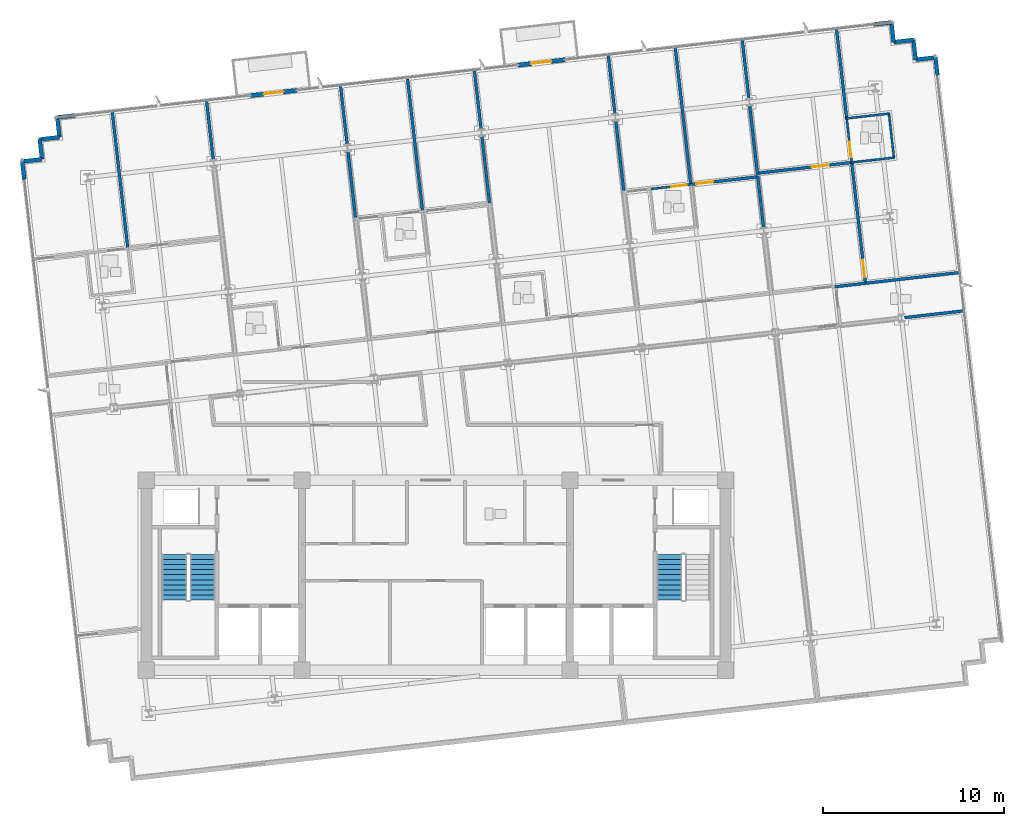
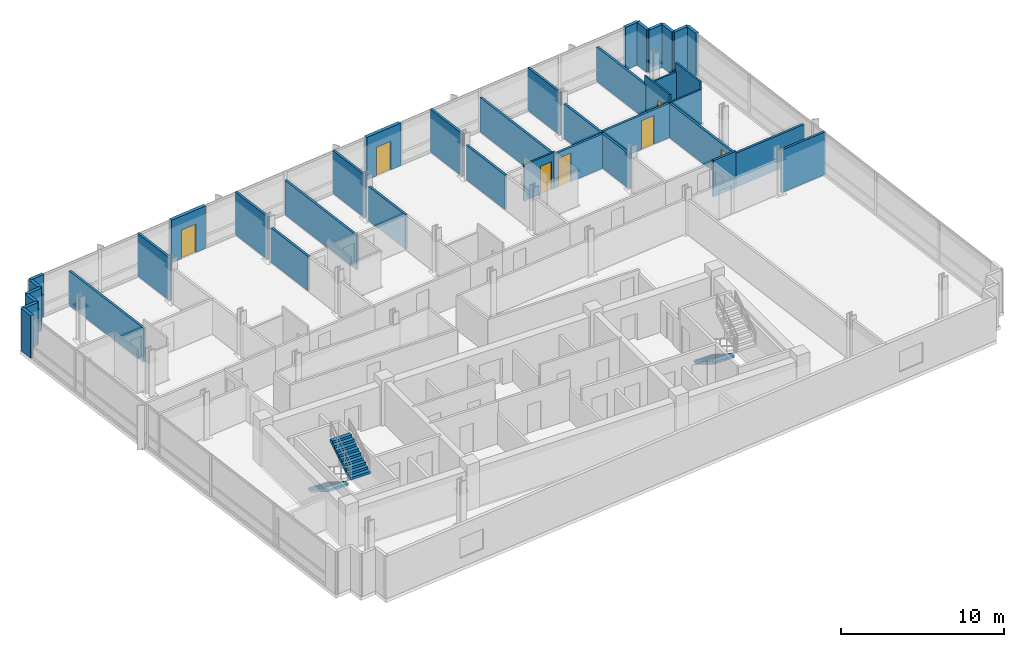
# One storey, part 11 of 17: 39 walls, 7 doors, 3 stair flights, 7 openings, 2 elements without a shape of their own.
"""IFC4 building model written with IfcOpenShell, lengths in metres."""

from ifc_helpers import new_model, si_unit, direction, frame, frame_2d, origin, place, context, subcontext, project, spatial, polyline, rectangle, outline, extrude, material, layer, layer_set, type_object, element, fill, aggregate, save


model = new_model("IFC4")

# Units and contexts
model_context = context("Model", 3, precision=1e-05, world=origin(), true_north=direction((0.0, 1.0)))
body_context = subcontext(model_context, "Body", "Model", "MODEL_VIEW")
ifc_project = project(units=[si_unit("LENGTHUNIT", "METRE"), si_unit("AREAUNIT", "SQUARE_METRE"), si_unit("VOLUMEUNIT", "CUBIC_METRE"), si_unit("PLANEANGLEUNIT", "RADIAN"), si_unit("MASSUNIT", "GRAM", prefix="KILO")], contexts=[model_context])

# Site, building, storey
site_placement = place(None, origin())
site = spatial("IfcSite", under=ifc_project, at=site_placement, CompositionType="ELEMENT")
building_placement = place(site_placement, origin())
building = spatial("IfcBuilding", under=site, at=building_placement, Name="Solmavex Isthmus Hotel", CompositionType="ELEMENT")
storey_placement = place(building_placement, frame((0.0, 0.0, 195.14990234375)))
storey = spatial("IfcBuildingStorey", under=building, at=storey_placement, Name="L52", CompositionType="ELEMENT", Elevation=195.14990234375)

# Wall, opening, door
ifc_material_1 = material(Name="Precast Concrete C40/50", Category="concrete")
ifc_layer_1 = layer(ifc_material_1, 0.25)
ifc_layer_set_1 = layer_set([ifc_layer_1], Name="Precast Concrete C40/50")
wall_type_1 = type_object("IfcWallType", Name="EW-TWR-250", PredefinedType="STANDARD", material=ifc_layer_set_1)
wall_1_placement = place(storey_placement, frame((-10.26953125, 18.750244140625, 0.0), z_axis=(0.0, 0.0, 1.0), x_axis=(0.993567130319, 0.113244680008, 0.0)))
wall_1 = element("IfcWall", 1, at=wall_1_placement, inside=storey, type_object=wall_type_1, Name="Exterior Balcony Door Wall L52-2", PredefinedType="STANDARD", context=body_context, shape_type="SweptSolid", body=[
    extrude(rectangle(XDim=2.60009765625, YDim=0.239990234375, at=frame_2d((1.300048828125, 0.0))), origin(), (0.0, 0.0, 1.0), 3.190185546875),
])
opening_1_placement = place(wall_1_placement, frame((0.75, 0.0, 0.0)))
opening_1 = element("IfcOpeningElement", 2, at=opening_1_placement, cuts=wall_1, Name="Opening ED-02", PredefinedType="OPENING", context=body_context, shape_type="SweptSolid", body=[
    extrude(rectangle(XDim=1.10009765625, YDim=2.14990234375, at=frame_2d((0.550048828125, 1.074951171875))), frame((0.0, 0.1298828125, 0.0), z_axis=(0.0, -1.0, 0.0), x_axis=(1.0, 0.0, 0.0)), (0.0, 0.0, 1.0), 0.260009765625),
])
ifc_material_2 = material(Name="Aluminium alloy 6063-T6", Category="aluminium")
door_type_1 = type_object("IfcDoorType", Name="EDR-BALC-1100", OperationType="NOTDEFINED", PredefinedType="DOOR", material=ifc_material_2)
door_1_placement = place(opening_1_placement, origin())
door_1 = element("IfcDoor", 3, at=door_1_placement, inside=storey, type_object=door_type_1, Name="Balcony & Terrace Glazed Door L52-2", OperationType="SINGLE_SWING_RIGHT", OverallHeight=2.14990234375, OverallWidth=1.10009765625, PredefinedType="DOOR", context=body_context, shape_type="SweptSolid", body=[
    extrude(rectangle(XDim=1.10009765625, YDim=2.14990234375, at=frame_2d((0.550048828125, 1.074951171875))), frame((0.0, 0.02490234375, 0.0), z_axis=(0.0, -1.0, 0.0), x_axis=(1.0, 0.0, 0.0)), (0.0, 0.0, 1.0), 0.050048828125),
])
fill(opening_1, door_1)

wall_2_placement = place(storey_placement, frame((4.52685546875, 20.43603515625, 0.0), z_axis=(0.0, 0.0, 1.0), x_axis=(0.993567130319, 0.113244680008, 0.0)))
wall_2 = element("IfcWall", 4, at=wall_2_placement, inside=storey, type_object=wall_type_1, Name="Exterior Balcony Door Wall L52-3", PredefinedType="STANDARD", context=body_context, shape_type="SweptSolid", body=[
    extrude(rectangle(XDim=2.60009765625, YDim=0.239990234375, at=frame_2d((1.300048828125, 0.0))), origin(), (0.0, 0.0, 1.0), 3.190185546875),
])
opening_2_placement = place(wall_2_placement, frame((0.75, 0.0, 0.0)))
opening_2 = element("IfcOpeningElement", 5, at=opening_2_placement, cuts=wall_2, Name="Opening ED-02", PredefinedType="OPENING", context=body_context, shape_type="SweptSolid", body=[
    extrude(rectangle(XDim=1.10009765625, YDim=2.14990234375, at=frame_2d((0.550048828125, 1.074951171875))), frame((0.0, 0.1298828125, 0.0), z_axis=(0.0, -1.0, 0.0), x_axis=(1.0, 0.0, 0.0)), (0.0, 0.0, 1.0), 0.260009765625),
])
door_2_placement = place(opening_2_placement, origin())
door_2 = element("IfcDoor", 6, at=door_2_placement, inside=storey, type_object=door_type_1, Name="Balcony & Terrace Glazed Door L52-3", OperationType="SINGLE_SWING_LEFT", OverallHeight=2.14990234375, OverallWidth=1.10009765625, PredefinedType="DOOR", context=body_context, shape_type="SweptSolid", body=[
    extrude(rectangle(XDim=1.10009765625, YDim=2.14990234375, at=frame_2d((0.550048828125, 1.074951171875))), frame((0.0, 0.02490234375, 0.0), z_axis=(0.0, -1.0, 0.0), x_axis=(1.0, 0.0, 0.0)), (0.0, 0.0, 1.0), 0.050048828125),
])
fill(opening_2, door_2)

# Walls
wall_3_placement = place(storey_placement, frame((-22.74755859375, 14.128173828125, 0.0), z_axis=(0.0, 0.0, 1.0), x_axis=(-0.113191877531, 0.993573147212, 0.0)))
element("IfcWall", 7, at=wall_3_placement, inside=storey, type_object=wall_type_1, Name="Serrated Corner Facade Panel L52-07", PredefinedType="STANDARD", context=body_context, shape_type="SweptSolid", body=[
    extrude(rectangle(XDim=0.989990234375, YDim=0.219970703125, at=frame_2d((0.4951171875, 0.0))), origin(), (0.0, 0.0, 1.0), 3.190185546875),
])
wall_4_placement = place(storey_placement, frame((-22.859619140625, 15.11181640625, 0.0), z_axis=(0.0, 0.0, 1.0), x_axis=(0.99357409499, 0.113183557839, 0.0)))
element("IfcWall", 8, at=wall_4_placement, inside=storey, type_object=wall_type_1, Name="Serrated Corner Facade Panel L52-08", PredefinedType="STANDARD", context=body_context, shape_type="SweptSolid", body=[
    extrude(rectangle(XDim=1.10009765625, YDim=0.219970703125, at=frame_2d((0.550048828125, 0.0))), origin(), (0.0, 0.0, 1.0), 3.190185546875),
])
wall_5_placement = place(storey_placement, frame((-21.7666015625, 15.236328125, 0.0), z_axis=(0.0, 0.0, 1.0), x_axis=(-0.11320852056, 0.99357125103, 0.0)))
element("IfcWall", 9, at=wall_5_placement, inside=storey, type_object=wall_type_1, Name="Serrated Corner Facade Panel L52-09", PredefinedType="STANDARD", context=body_context, shape_type="SweptSolid", body=[
    extrude(rectangle(XDim=1.099853515625, YDim=0.219970703125, at=frame_2d((0.5498046875, 0.0))), origin(), (0.0, 0.0, 1.0), 3.190185546875),
])
for number, where, z_axis, x_axis, name in (
    (10, (-21.89111328125, 16.3291015625, 0.0), (0.0, 0.0, 1.0), (0.99357409499, 0.113183557839, 0.0), "Serrated Corner Facade Panel L52-10"),
    (11, (-20.798095703125, 16.45361328125, 0.0), (0.0, 0.0, 1.0), (-0.113402635104, 0.993549114212, 0.0), "Serrated Corner Facade Panel L52-11"),
):
    element("IfcWall", number, at=place(storey_placement, frame(where, z_axis=z_axis, x_axis=x_axis)), inside=storey, type_object=wall_type_1, Name=name, PredefinedType="STANDARD", context=body_context, shape_type="SweptSolid", body=[
        extrude(rectangle(XDim=1.10009765625, YDim=0.219970703125, at=frame_2d((0.550048828125, 0.0))), origin(), (0.0, 0.0, 1.0), 3.190185546875),
    ])
for number, where, z_axis, x_axis, name in (
    (12, (-20.9228515625, 17.546630859375, 0.0), (0.0, 0.0, 1.0), (0.993573147212, 0.113191877531, 0.0), "Serrated Corner Facade Panel L52-12"),
    (13, (24.175537109375, 22.684814453125, 0.0), (0.0, 0.0, 1.0), (0.993573147212, 0.113191877531, 0.0), "Serrated Corner Facade Panel L52-14"),
):
    element("IfcWall", number, at=place(storey_placement, frame(where, z_axis=z_axis, x_axis=x_axis)), inside=storey, type_object=wall_type_1, Name=name, PredefinedType="STANDARD", context=body_context, shape_type="SweptSolid", body=[
        extrude(rectangle(XDim=0.989990234375, YDim=0.219970703125, at=frame_2d((0.4951171875, 0.0))), origin(), (0.0, 0.0, 1.0), 3.190185546875),
    ])
for number, where, z_axis, x_axis, name in (
    (14, (25.1591796875, 22.796875, 0.0), (0.0, 0.0, 1.0), (0.11320852056, -0.99357125103, 0.0), "Serrated Corner Facade Panel L52-15"),
    (15, (25.28369140625, 21.7041015625, 0.0), (0.0, 0.0, 1.0), (0.99357125103, 0.11320852056, 0.0), "Serrated Corner Facade Panel L52-16"),
):
    element("IfcWall", number, at=place(storey_placement, frame(where, z_axis=z_axis, x_axis=x_axis)), inside=storey, type_object=wall_type_1, Name=name, PredefinedType="STANDARD", context=body_context, shape_type="SweptSolid", body=[
        extrude(rectangle(XDim=1.099853515625, YDim=0.219970703125, at=frame_2d((0.5498046875, 0.0))), origin(), (0.0, 0.0, 1.0), 3.190185546875),
    ])
wall_6_placement = place(storey_placement, frame((26.37646484375, 21.82861328125, 0.0), z_axis=(0.0, 0.0, 1.0), x_axis=(0.113402635104, -0.993549114212, 0.0)))
element("IfcWall", 16, at=wall_6_placement, inside=storey, type_object=wall_type_1, Name="Serrated Corner Facade Panel L52-17", PredefinedType="STANDARD", context=body_context, shape_type="SweptSolid", body=[
    extrude(rectangle(XDim=1.10009765625, YDim=0.219970703125, at=frame_2d((0.550048828125, 0.0))), origin(), (0.0, 0.0, 1.0), 3.190185546875),
])
wall_7_placement = place(storey_placement, frame((26.501220703125, 20.735595703125, 0.0), z_axis=(0.0, 0.0, 1.0), x_axis=(0.99357125103, 0.11320852056, 0.0)))
element("IfcWall", 17, at=wall_7_placement, inside=storey, type_object=wall_type_1, Name="Serrated Corner Facade Panel L52-18", PredefinedType="STANDARD", context=body_context, shape_type="SweptSolid", body=[
    extrude(rectangle(XDim=1.099853515625, YDim=0.219970703125, at=frame_2d((0.5498046875, 0.0))), origin(), (0.0, 0.0, 1.0), 3.190185546875),
])
wall_8_placement = place(storey_placement, frame((27.593994140625, 20.860107421875, 0.0), z_axis=(0.0, 0.0, 1.0), x_axis=(0.113191877531, -0.993573147212, 0.0)))
element("IfcWall", 18, at=wall_8_placement, inside=storey, type_object=wall_type_1, Name="Serrated Corner Facade Panel L52-19", PredefinedType="STANDARD", context=body_context, shape_type="SweptSolid", body=[
    extrude(rectangle(XDim=0.989990234375, YDim=0.219970703125, at=frame_2d((0.4951171875, 0.0))), origin(), (0.0, 0.0, 1.0), 3.190185546875),
])
ifc_material_3 = material(Name="Gypsum plasterboard lining", Category="gypsum")
ifc_layer_2 = layer(ifc_material_3, 0.159912109375)
ifc_layer_set_2 = layer_set([ifc_layer_2], Name="Gypsum plasterboard lining")
wall_type_2 = type_object("IfcWallType", Name="IW-COMP-160", PredefinedType="PARTITIONING", material=ifc_layer_set_2)
wall_9_placement = place(storey_placement, frame((-17.891845703125, 17.922119140625, 0.0), z_axis=(0.0, 0.0, 1.0), x_axis=(0.113207305677, -0.993571389454, 0.0)))
element("IfcWall", 19, at=wall_9_placement, inside=storey, type_object=wall_type_2, Name="Interior Partition Wall W-L52-P033", PredefinedType="PARTITIONING", context=body_context, shape_type="SweptSolid", body=[
    extrude(rectangle(XDim=7.7119140625, YDim=0.159912109375, at=frame_2d((3.85595703125, 0.0))), origin(), (0.0, 0.0, 1.0), 2.5576171875),
])
wall_10_placement = place(storey_placement, frame((-12.681396484375, 18.515869140625, 0.0), z_axis=(0.0, 0.0, 1.0), x_axis=(0.113171804991, -0.993575433752, 0.0)))
element("IfcWall", 20, at=wall_10_placement, inside=storey, type_object=wall_type_2, Name="Interior Partition Wall W-L52-P035", PredefinedType="PARTITIONING", context=body_context, shape_type="SweptSolid", body=[
    extrude(rectangle(XDim=3.34375, YDim=0.159912109375, at=frame_2d((1.671875, 0.0))), origin(), (0.0, 0.0, 1.0), 3.190185546875),
])
wall_11_placement = place(storey_placement, frame((-5.283447265625, 19.358642578125, 0.0), z_axis=(0.0, 0.0, 1.0), x_axis=(0.113252098743, -0.993566284719, 0.0)))
element("IfcWall", 21, at=wall_11_placement, inside=storey, type_object=wall_type_2, Name="Interior Partition Wall W-L52-P041", PredefinedType="PARTITIONING", context=body_context, shape_type="SweptSolid", body=[
    extrude(rectangle(XDim=3.343505859375, YDim=0.159912109375, at=frame_2d((1.671875, 0.0))), origin(), (0.0, 0.0, 1.0), 3.190185546875),
])
wall_12_placement = place(storey_placement, frame((-4.864990234375, 15.68603515625, 0.0), z_axis=(0.0, 0.0, 1.0), x_axis=(0.11322351182, -0.993569542796, 0.0)))
element("IfcWall", 22, at=wall_12_placement, inside=storey, type_object=wall_type_2, Name="Interior Partition Wall W-L52-P042", PredefinedType="PARTITIONING", context=body_context, shape_type="SweptSolid", body=[
    extrude(rectangle(XDim=3.857666015625, YDim=0.159912109375, at=frame_2d((1.9287109375, 0.0))), origin(), (0.0, 0.0, 1.0), 2.572509765625),
])
wall_13_placement = place(storey_placement, frame((-1.57080078125, 19.660888671875, 0.0), z_axis=(0.0, 0.0, 1.0), x_axis=(0.113218703946, -0.993570090671, 0.0)))
element("IfcWall", 23, at=wall_13_placement, inside=storey, type_object=wall_type_2, Name="Interior Partition Wall W-L52-P050", PredefinedType="PARTITIONING", context=body_context, shape_type="SweptSolid", body=[
    extrude(rectangle(XDim=7.39208984375, YDim=0.159912109375, at=frame_2d((3.696044921875, 0.0))), origin(), (0.0, 0.0, 1.0), 2.5576171875),
])
wall_14_placement = place(storey_placement, frame((2.11474609375, 20.20166015625, 0.0), z_axis=(0.0, 0.0, 1.0), x_axis=(0.113243883011, -0.993567221158, 0.0)))
element("IfcWall", 24, at=wall_14_placement, inside=storey, type_object=wall_type_2, Name="Interior Partition Wall W-L52-P052", PredefinedType="PARTITIONING", context=body_context, shape_type="SweptSolid", body=[
    extrude(rectangle(XDim=3.34375, YDim=0.159912109375, at=frame_2d((1.671875, 0.0))), origin(), (0.0, 0.0, 1.0), 3.190185546875),
])
wall_15_placement = place(storey_placement, frame((2.533203125, 16.529052734375, 0.0), z_axis=(0.0, 0.0, 1.0), x_axis=(0.113183882326, -0.993574058026, 0.0)))
element("IfcWall", 25, at=wall_15_placement, inside=storey, type_object=wall_type_2, Name="Interior Partition Wall W-L52-P053", PredefinedType="PARTITIONING", context=body_context, shape_type="SweptSolid", body=[
    extrude(rectangle(XDim=3.815673828125, YDim=0.159912109375, at=frame_2d((1.90771484375, 0.0))), origin(), (0.0, 0.0, 1.0), 2.572509765625),
])
wall_16_placement = place(storey_placement, frame((9.512939453125, 21.04443359375, 0.0), z_axis=(0.0, 0.0, 1.0), x_axis=(0.113180015629, -0.993574498496, 0.0)))
element("IfcWall", 26, at=wall_16_placement, inside=storey, type_object=wall_type_2, Name="Interior Partition Wall W-L52-P058", PredefinedType="PARTITIONING", context=body_context, shape_type="SweptSolid", body=[
    extrude(rectangle(XDim=3.343505859375, YDim=0.159912109375, at=frame_2d((1.671875, 0.0))), origin(), (0.0, 0.0, 1.0), 3.190185546875),
])
wall_17_placement = place(storey_placement, frame((9.931396484375, 17.371826171875, 0.0), z_axis=(0.0, 0.0, 1.0), x_axis=(0.113178343723, -0.993574688945, 0.0)))
element("IfcWall", 27, at=wall_17_placement, inside=storey, type_object=wall_type_2, Name="Interior Partition Wall W-L52-P059", PredefinedType="PARTITIONING", context=body_context, shape_type="SweptSolid", body=[
    extrude(rectangle(XDim=4.0576171875, YDim=0.159912109375, at=frame_2d((2.02880859375, 0.0))), origin(), (0.0, 0.0, 1.0), 2.572509765625),
])

# Wall, opening, door
wall_18_placement = place(storey_placement, frame((14.040771484375, 13.8388671875, 0.0), z_axis=(0.0, 0.0, 1.0), x_axis=(0.99357460938, 0.113179042213, 0.0)))
wall_18 = element("IfcWall", 28, at=wall_18_placement, inside=storey, type_object=wall_type_2, Name="Interior Partition Wall W-L52-P061", PredefinedType="PARTITIONING", context=body_context, shape_type="SweptSolid", body=[
    extrude(rectangle(XDim=3.802978515625, YDim=0.159912109375, at=frame_2d((1.9013671875, 0.0))), origin(), (0.0, 0.0, 1.0), 2.572509765625),
])
opening_3_placement = place(wall_18_placement, frame((0.331787109375, 0.0, 0.0)))
opening_3 = element("IfcOpeningElement", 29, at=opening_3_placement, cuts=wall_18, Name="Opening ID-C095", PredefinedType="OPENING", context=body_context, shape_type="SweptSolid", body=[
    extrude(rectangle(XDim=0.949951171875, YDim=2.14990234375, at=frame_2d((0.47509765625, 1.074951171875))), frame((0.0, 0.08984375, 0.0), z_axis=(0.0, -1.0, 0.0), x_axis=(1.0, 0.0, 0.0)), (0.0, 0.0, 1.0), 0.179931640625),
])
ifc_material_4 = material(Name="Hardwood timber", Category="wood")
door_type_2 = type_object("IfcDoorType", Name="IDR-FD60-0950", OperationType="NOTDEFINED", PredefinedType="DOOR", material=ifc_material_4)
door_3_placement = place(opening_3_placement, origin())
door_3 = element("IfcDoor", 30, at=door_3_placement, inside=storey, type_object=door_type_2, Name="Premier Suite Panorama Sitting Study Door L52-15", OperationType="SINGLE_SWING_LEFT", OverallHeight=2.14990234375, OverallWidth=0.949951171875, PredefinedType="DOOR", context=body_context, shape_type="SweptSolid", body=[
    extrude(rectangle(XDim=0.949951171875, YDim=2.14990234375, at=frame_2d((0.47509765625, 1.074951171875))), frame((0.0, 0.02490234375, 0.0), z_axis=(0.0, -1.0, 0.0), x_axis=(1.0, 0.0, 0.0)), (0.0, 0.0, 1.0), 0.050048828125),
])
fill(opening_3, door_3)

# Walls
wall_19_placement = place(storey_placement, frame((17.775146484375, 14.304443359375, 0.0), z_axis=(0.0, 0.0, 1.0), x_axis=(0.113135412766, -0.993579578282, 0.0)))
element("IfcWall", 31, at=wall_19_placement, inside=storey, type_object=wall_type_2, Name="Interior Partition Wall W-L52-P065", PredefinedType="PARTITIONING", context=body_context, shape_type="SweptSolid", body=[
    extrude(rectangle(XDim=2.863525390625, YDim=0.159912109375, at=frame_2d((1.431640625, 0.0))), origin(), (0.0, 0.0, 1.0), 2.572509765625),
])
wall_20_placement = place(storey_placement, frame((13.2255859375, 21.3466796875, 0.0), z_axis=(0.0, 0.0, 1.0), x_axis=(0.113194690428, -0.993572826751, 0.0)))
element("IfcWall", 32, at=wall_20_placement, inside=storey, type_object=wall_type_2, Name="Interior Partition Wall W-L52-P067", PredefinedType="PARTITIONING", context=body_context, shape_type="SweptSolid", body=[
    extrude(rectangle(XDim=7.592041015625, YDim=0.159912109375, at=frame_2d((3.7958984375, 0.0))), origin(), (0.0, 0.0, 1.0), 2.5576171875),
])
wall_21_placement = place(storey_placement, frame((16.9111328125, 21.887451171875, 0.0), z_axis=(0.0, 0.0, 1.0), x_axis=(0.113171804991, -0.993575433752, 0.0)))
element("IfcWall", 33, at=wall_21_placement, inside=storey, type_object=wall_type_2, Name="Interior Partition Wall W-L52-P069", PredefinedType="PARTITIONING", context=body_context, shape_type="SweptSolid", body=[
    extrude(rectangle(XDim=3.34375, YDim=0.159912109375, at=frame_2d((1.671875, 0.0))), origin(), (0.0, 0.0, 1.0), 3.190185546875),
])
wall_22_placement = place(storey_placement, frame((17.32958984375, 18.21484375, 0.0), z_axis=(0.0, 0.0, 1.0), x_axis=(0.113161033767, -0.993576660574, 0.0)))
element("IfcWall", 34, at=wall_22_placement, inside=storey, type_object=wall_type_2, Name="Interior Partition Wall W-L52-P070", PredefinedType="PARTITIONING", context=body_context, shape_type="SweptSolid", body=[
    extrude(rectangle(XDim=3.857421875, YDim=0.159912109375, at=frame_2d((1.9287109375, 0.0))), origin(), (0.0, 0.0, 1.0), 2.572509765625),
])

# Wall, opening, door
wall_23_placement = place(storey_placement, frame((17.71728515625, 14.458984375, 0.0), z_axis=(0.0, 0.0, 1.0), x_axis=(0.99357458339, 0.113179270369, 0.0)))
wall_23 = element("IfcWall", 35, at=wall_23_placement, inside=storey, type_object=wall_type_2, Name="Interior Partition Wall W-L52-P071", PredefinedType="PARTITIONING", context=body_context, shape_type="SweptSolid", body=[
    extrude(rectangle(XDim=5.32373046875, YDim=0.159912109375, at=frame_2d((2.661865234375, 0.0))), origin(), (0.0, 0.0, 1.0), 2.572509765625),
])
opening_4_placement = place(wall_23_placement, frame((3.068115234375, 0.0, 0.0)))
opening_4 = element("IfcOpeningElement", 36, at=opening_4_placement, cuts=wall_23, Name="Opening ID-C095", PredefinedType="OPENING", context=body_context, shape_type="SweptSolid", body=[
    extrude(rectangle(XDim=0.949951171875, YDim=2.14990234375, at=frame_2d((0.47509765625, 1.074951171875))), frame((0.0, 0.08984375, 0.0), z_axis=(0.0, -1.0, 0.0), x_axis=(1.0, 0.0, 0.0)), (0.0, 0.0, 1.0), 0.179931640625),
])
door_4_placement = place(opening_4_placement, origin())
door_4 = element("IfcDoor", 37, at=door_4_placement, inside=storey, type_object=door_type_2, Name="Corner Suite Master Bedroom Door L52-18", OperationType="SINGLE_SWING_RIGHT", OverallHeight=2.14990234375, OverallWidth=0.949951171875, PredefinedType="DOOR", context=body_context, shape_type="SweptSolid", body=[
    extrude(rectangle(XDim=0.949951171875, YDim=2.14990234375, at=frame_2d((0.47509765625, 1.074951171875))), frame((0.0, 0.02490234375, 0.0), z_axis=(0.0, -1.0, 0.0), x_axis=(1.0, 0.0, 0.0)), (0.0, 0.0, 1.0), 0.050048828125),
])
fill(opening_4, door_4)

wall_24_placement = place(storey_placement, frame((22.962646484375, 15.096923828125, 0.0), z_axis=(0.0, 0.0, 1.0), x_axis=(0.113198160336, -0.993572431429, 0.0)))
wall_24 = element("IfcWall", 38, at=wall_24_placement, inside=storey, type_object=wall_type_2, Name="Interior Partition Wall W-L52-P072", PredefinedType="PARTITIONING", context=body_context, shape_type="SweptSolid", body=[
    extrude(rectangle(XDim=6.798095703125, YDim=0.159912109375, at=frame_2d((3.39892578125, 0.0))), origin(), (0.0, 0.0, 1.0), 2.572509765625),
])
opening_5_placement = place(wall_24_placement, frame((5.46337890625, 0.0, 0.0)))
opening_5 = element("IfcOpeningElement", 39, at=opening_5_placement, cuts=wall_24, Name="Opening ID-C095", PredefinedType="OPENING", context=body_context, shape_type="SweptSolid", body=[
    extrude(rectangle(XDim=0.949951171875, YDim=2.14990234375, at=frame_2d((0.47509765625, 1.074951171875))), frame((0.0, 0.08984375, 0.0), z_axis=(0.0, -1.0, 0.0), x_axis=(1.0, 0.0, 0.0)), (0.0, 0.0, 1.0), 0.179931640625),
])
door_5_placement = place(opening_5_placement, frame((0.949951171875, 0.0, 0.0), z_axis=(0.0, 0.0, 1.0), x_axis=(-1.0, 0.0, 0.0)))
door_5 = element("IfcDoor", 40, at=door_5_placement, inside=storey, type_object=door_type_2, Name="Corner Suite Living Lounge Door L52-19", OperationType="SINGLE_SWING_LEFT", OverallHeight=2.14990234375, OverallWidth=0.949951171875, PredefinedType="DOOR", context=body_context, shape_type="SweptSolid", body=[
    extrude(rectangle(XDim=0.949951171875, YDim=2.14990234375, at=frame_2d((0.47509765625, 1.074951171875))), frame((0.0, 0.02490234375, 0.0), z_axis=(0.0, -1.0, 0.0), x_axis=(1.0, 0.0, 0.0)), (0.0, 0.0, 1.0), 0.050048828125),
])
fill(opening_5, door_5)

# Walls
wall_25_placement = place(storey_placement, frame((23.767333984375, 8.38671875, 0.0), z_axis=(0.0, 0.0, 1.0), x_axis=(-0.993577783283, -0.113151175719, 0.0)))
element("IfcWall", 41, at=wall_25_placement, inside=storey, type_object=wall_type_2, Name="Interior Partition Wall W-L52-P073", PredefinedType="PARTITIONING", context=body_context, shape_type="SweptSolid", body=[
    extrude(rectangle(XDim=1.723876953125, YDim=0.159912109375, at=frame_2d((0.86181640625, 0.0))), origin(), (0.0, 0.0, 1.0), 2.71826171875),
])
wall_26_placement = place(storey_placement, frame((22.121337890625, 22.48095703125, 0.0), z_axis=(0.0, 0.0, 1.0), x_axis=(0.113224155513, -0.993569469443, 0.0)))
element("IfcWall", 42, at=wall_26_placement, inside=storey, type_object=wall_type_2, Name="Interior Partition Wall W-L52-P074", PredefinedType="PARTITIONING", context=body_context, shape_type="SweptSolid", body=[
    extrude(rectangle(XDim=5.103759765625, YDim=0.159912109375, at=frame_2d((2.5517578125, 0.0))), origin(), (0.0, 0.0, 1.0), 2.5576171875),
])
wall_27_placement = place(storey_placement, frame((28.977783203125, 8.98046875, 0.0), z_axis=(0.0, 0.0, 1.0), x_axis=(-0.993570013337, -0.113219382606, 0.0)))
element("IfcWall", 43, at=wall_27_placement, inside=storey, type_object=wall_type_2, Name="Interior Partition Wall W-L52-P079", PredefinedType="PARTITIONING", context=body_context, shape_type="SweptSolid", body=[
    extrude(rectangle(XDim=5.323974609375, YDim=0.159912109375, at=frame_2d((2.662109375, 0.0))), origin(), (0.0, 0.0, 1.0), 2.5576171875),
])
wall_28_placement = place(storey_placement, frame((29.21875, 6.864013671875, 0.0), z_axis=(0.0, 0.0, 1.0), x_axis=(-0.993574498496, -0.113180015629, 0.0)))
element("IfcWall", 44, at=wall_28_placement, inside=storey, type_object=wall_type_2, Name="Interior Partition Wall W-L52-P083", PredefinedType="PARTITIONING", context=body_context, shape_type="SweptSolid", body=[
    extrude(rectangle(XDim=3.343505859375, YDim=0.159912109375, at=frame_2d((1.671875, 0.0))), origin(), (0.0, 0.0, 1.0), 3.190185546875),
])

# Wall, opening, door
ifc_layer_3 = layer(ifc_material_3, 0.1201171875)
ifc_layer_set_3 = layer_set([ifc_layer_3], Name="Gypsum plasterboard lining")
wall_type_3 = type_object("IfcWallType", Name="IW-PART-120", PredefinedType="PARTITIONING", material=ifc_layer_set_3)
wall_29_placement = place(storey_placement, frame((14.120361328125, 13.847900390625, 0.0), z_axis=(0.0, 0.0, 1.0), x_axis=(-0.99357109585, -0.113209882477, 0.0)))
wall_29 = element("IfcWall", 45, at=wall_29_placement, inside=storey, type_object=wall_type_3, Name="Interior Partition Wall W-L52-P068", PredefinedType="PARTITIONING", context=body_context, shape_type="SweptSolid", body=[
    extrude(rectangle(XDim=2.3720703125, YDim=0.1201171875, at=frame_2d((1.18603515625, 0.0))), origin(), (0.0, 0.0, 1.0), 2.71826171875),
])
opening_6_placement = place(wall_29_placement, frame((0.27978515625, 0.0, 0.0)))
opening_6 = element("IfcOpeningElement", 46, at=opening_6_placement, cuts=wall_29, Name="Opening ID-U085", PredefinedType="OPENING", context=body_context, shape_type="SweptSolid", body=[
    extrude(rectangle(XDim=0.85009765625, YDim=2.10009765625, at=frame_2d((0.425048828125, 1.050048828125))), frame((0.0, 0.070068359375, 0.0), z_axis=(0.0, -1.0, 0.0), x_axis=(1.0, 0.0, 0.0)), (0.0, 0.0, 1.0), 0.14013671875),
])
door_type_3 = type_object("IfcDoorType", Name="IDR-UNR-0850", OperationType="NOTDEFINED", PredefinedType="DOOR", material=ifc_material_4)
door_6_placement = place(opening_6_placement, frame((0.85009765625, 0.0, 0.0), z_axis=(0.0, 0.0, 1.0), x_axis=(-1.0, 0.0, 0.0)))
door_6 = element("IfcDoor", 47, at=door_6_placement, inside=storey, type_object=door_type_3, Name="En-suite Bathroom Door L52-16", OperationType="SINGLE_SWING_RIGHT", OverallHeight=2.10009765625, OverallWidth=0.85009765625, PredefinedType="DOOR", context=body_context, shape_type="SweptSolid", body=[
    extrude(rectangle(XDim=0.85009765625, YDim=2.10009765625, at=frame_2d((0.425048828125, 1.050048828125))), frame((0.0, 0.02490234375, 0.0), z_axis=(0.0, -1.0, 0.0), x_axis=(1.0, 0.0, 0.0)), (0.0, 0.0, 1.0), 0.050048828125),
])
fill(opening_6, door_6)

wall_30_placement = place(storey_placement, frame((22.6806640625, 17.57275390625, 0.0), z_axis=(0.0, 0.0, 1.0), x_axis=(0.11315036097, -0.993577876068, 0.0)))
wall_30 = element("IfcWall", 48, at=wall_30_placement, inside=storey, type_object=wall_type_3, Name="Interior Partition Wall W-L52-P075", PredefinedType="PARTITIONING", context=body_context, shape_type="SweptSolid", body=[
    extrude(rectangle(XDim=2.572021484375, YDim=0.1201171875, at=frame_2d((1.2861328125, 0.0))), origin(), (0.0, 0.0, 1.0), 3.190185546875),
])
opening_7_placement = place(wall_30_placement, frame((1.38427734375, 0.0, 0.0)))
opening_7 = element("IfcOpeningElement", 49, at=opening_7_placement, cuts=wall_30, Name="Opening ID-U085", PredefinedType="OPENING", context=body_context, shape_type="SweptSolid", body=[
    extrude(rectangle(XDim=0.85009765625, YDim=2.10009765625, at=frame_2d((0.425048828125, 1.050048828125))), frame((0.0, 0.070068359375, 0.0), z_axis=(0.0, -1.0, 0.0), x_axis=(1.0, 0.0, 0.0)), (0.0, 0.0, 1.0), 0.14013671875),
])
door_7_placement = place(opening_7_placement, frame((0.85009765625, 0.0, 0.0), z_axis=(0.0, 0.0, 1.0), x_axis=(-1.0, 0.0, 0.0)))
door_7 = element("IfcDoor", 50, at=door_7_placement, inside=storey, type_object=door_type_3, Name="En-suite Bathroom Door L52-20", OperationType="SINGLE_SWING_RIGHT", OverallHeight=2.10009765625, OverallWidth=0.85009765625, PredefinedType="DOOR", context=body_context, shape_type="SweptSolid", body=[
    extrude(rectangle(XDim=0.85009765625, YDim=2.10009765625, at=frame_2d((0.425048828125, 1.050048828125))), frame((0.0, 0.02490234375, 0.0), z_axis=(0.0, -1.0, 0.0), x_axis=(1.0, 0.0, 0.0)), (0.0, 0.0, 1.0), 0.050048828125),
])
fill(opening_7, door_7)

# Walls
wall_31_placement = place(storey_placement, frame((22.927490234375, 15.052490234375, 0.0), z_axis=(0.0, 0.0, 1.0), x_axis=(0.993568569373, 0.113232053563, 0.0)))
element("IfcWall", 51, at=wall_31_placement, inside=storey, type_object=wall_type_3, Name="Interior Partition Wall W-L52-P076", PredefinedType="PARTITIONING", context=body_context, shape_type="SweptSolid", body=[
    extrude(rectangle(XDim=2.429931640625, YDim=0.1201171875, at=frame_2d((1.21484375, 0.0))), origin(), (0.0, 0.0, 1.0), 2.5576171875),
])
wall_32_placement = place(storey_placement, frame((25.306640625, 15.283447265625, 0.0), z_axis=(0.0, 0.0, 1.0), x_axis=(-0.113195495167, 0.99357273507, 0.0)))
element("IfcWall", 52, at=wall_32_placement, inside=storey, type_object=wall_type_3, Name="Interior Partition Wall W-L52-P077", PredefinedType="PARTITIONING", context=body_context, shape_type="SweptSolid", body=[
    extrude(rectangle(XDim=2.530029296875, YDim=0.1201171875, at=frame_2d((1.26513671875, 0.0))), origin(), (0.0, 0.0, 1.0), 3.190185546875),
])
wall_33_placement = place(storey_placement, frame((25.064453125, 17.761962890625, 0.0), z_axis=(0.0, 0.0, 1.0), x_axis=(-0.993568569373, -0.113232053563, 0.0)))
element("IfcWall", 53, at=wall_33_placement, inside=storey, type_object=wall_type_3, Name="Interior Partition Wall W-L52-P078", PredefinedType="PARTITIONING", context=body_context, shape_type="SweptSolid", body=[
    extrude(rectangle(XDim=2.429931640625, YDim=0.1201171875, at=frame_2d((1.21484375, 0.0))), origin(), (0.0, 0.0, 1.0), 2.5576171875),
])

# Stair, stair flights
ifc_material_5 = material(Name="Concrete C40/50", Category="concrete")
stair_type_1 = type_object("IfcStairType", Name="STR-ST-1", PredefinedType="HALF_TURN_STAIR", material=ifc_material_5)
stair_1_placement = place(storey_placement, origin())
stair_1 = element("IfcStair", 54, at=stair_1_placement, inside=storey, type_object=stair_type_1, Name="L52 Protected Exit Stair ST-1", PredefinedType="HALF_TURN_STAIR")
stair_flight_type_1 = type_object("IfcStairFlightType", Name="SFL-ST-1", PredefinedType="STRAIGHT", material=ifc_material_5)
stair_flight_1_placement = place(storey_placement, frame((-14.449951171875, -6.60009765625, 0.0), z_axis=(0.0, 0.0, 1.0), x_axis=(0.0, -1.0, 0.0)))
stair_flight_1 = element("IfcStairFlight", 55, at=stair_flight_1_placement, type_object=stair_flight_type_1, Name="ST-1 flight 1", NumberOfRisers=10, NumberOfTreads=9, PredefinedType="STRAIGHT", RiserHeight=0.1725, TreadLength=0.28, context=body_context, shape_type="SweptSolid", body=[
    extrude(outline(polyline([(0.0, 0.0), (0.0, 0.172607421875), (0.280029296875, 0.172607421875), (0.280029296875, 0.344970703125), (0.56005859375, 0.344970703125), (0.56005859375, 0.517578125), (0.840087890625, 0.517578125), (0.840087890625, 0.68994140625), (1.1201171875, 0.68994140625), (1.1201171875, 0.862548828125), (1.39990234375, 0.862548828125), (1.39990234375, 1.034912109375), (1.679931640625, 1.034912109375), (1.679931640625, 1.20751953125), (1.9599609375, 1.20751953125), (1.9599609375, 1.3798828125), (2.239990234375, 1.3798828125), (2.239990234375, 1.552490234375), (2.52001953125, 1.552490234375), (2.52001953125, 1.72509765625), (2.52001953125, 1.37646484375), (0.285888671875, 0.0), (0.0, 0.0)])), frame((0.0, 0.699951171875, 0.0), z_axis=(0.0, -1.0, 0.0), x_axis=(1.0, 0.0, 0.0)), (0.0, 0.0, 1.0), 1.39990234375),
])
stair_flight_2_placement = place(storey_placement, frame((-12.89990234375, -9.1201171875, 1.72509765625), z_axis=(0.0, 0.0, 1.0), x_axis=(0.0, 1.0, 0.0)))
stair_flight_2 = element("IfcStairFlight", 56, at=stair_flight_2_placement, type_object=stair_flight_type_1, Name="ST-1 flight 2", NumberOfRisers=10, NumberOfTreads=9, PredefinedType="STRAIGHT", RiserHeight=0.1725, TreadLength=0.28, context=body_context, shape_type="SweptSolid", body=[
    extrude(outline(polyline([(0.0, 0.0), (0.0, 0.172607421875), (0.280029296875, 0.172607421875), (0.280029296875, 0.344970703125), (0.56005859375, 0.344970703125), (0.56005859375, 0.517578125), (0.840087890625, 0.517578125), (0.840087890625, 0.68994140625), (1.1201171875, 0.68994140625), (1.1201171875, 0.862548828125), (1.39990234375, 0.862548828125), (1.39990234375, 1.034912109375), (1.679931640625, 1.034912109375), (1.679931640625, 1.20751953125), (1.9599609375, 1.20751953125), (1.9599609375, 1.3798828125), (2.239990234375, 1.3798828125), (2.239990234375, 1.552490234375), (2.52001953125, 1.552490234375), (2.52001953125, 1.72509765625), (2.52001953125, 1.37646484375), (0.285888671875, 0.0), (0.0, 0.0)])), frame((0.0, 0.699951171875, 0.0), z_axis=(0.0, -1.0, 0.0), x_axis=(1.0, 0.0, 0.0)), (0.0, 0.0, 1.0), 1.39990234375),
])
aggregate(stair_1, [stair_flight_1, stair_flight_2])

# Stair, stair flight
stair_type_2 = type_object("IfcStairType", Name="STR-ST-2", PredefinedType="HALF_TURN_STAIR", material=ifc_material_5)
stair_2_placement = place(storey_placement, origin())
stair_2 = element("IfcStair", 57, at=stair_2_placement, inside=storey, type_object=stair_type_2, Name="L52 Protected Exit Stair ST-2", PredefinedType="HALF_TURN_STAIR")
stair_flight_type_2 = type_object("IfcStairFlightType", Name="SFL-ST-2", PredefinedType="STRAIGHT", material=ifc_material_5)
stair_flight_3_placement = place(storey_placement, frame((12.89990234375, -6.60009765625, 0.0), z_axis=(0.0, 0.0, 1.0), x_axis=(0.0, -1.0, 0.0)))
stair_flight_3 = element("IfcStairFlight", 58, at=stair_flight_3_placement, type_object=stair_flight_type_2, Name="ST-2 flight 1", NumberOfRisers=10, NumberOfTreads=9, PredefinedType="STRAIGHT", RiserHeight=0.1725, TreadLength=0.28, context=body_context, shape_type="SweptSolid", body=[
    extrude(outline(polyline([(0.0, 0.0), (0.0, 0.172607421875), (0.280029296875, 0.172607421875), (0.280029296875, 0.344970703125), (0.56005859375, 0.344970703125), (0.56005859375, 0.517578125), (0.840087890625, 0.517578125), (0.840087890625, 0.68994140625), (1.1201171875, 0.68994140625), (1.1201171875, 0.862548828125), (1.39990234375, 0.862548828125), (1.39990234375, 1.034912109375), (1.679931640625, 1.034912109375), (1.679931640625, 1.20751953125), (1.9599609375, 1.20751953125), (1.9599609375, 1.3798828125), (2.239990234375, 1.3798828125), (2.239990234375, 1.552490234375), (2.52001953125, 1.552490234375), (2.52001953125, 1.72509765625), (2.52001953125, 1.37646484375), (0.285888671875, 0.0), (0.0, 0.0)])), frame((0.0, 0.699951171875, 0.0), z_axis=(0.0, -1.0, 0.0), x_axis=(1.0, 0.0, 0.0)), (0.0, 0.0, 1.0), 1.39990234375),
])
aggregate(stair_2, [stair_flight_3])

save(model, "model.ifc")
